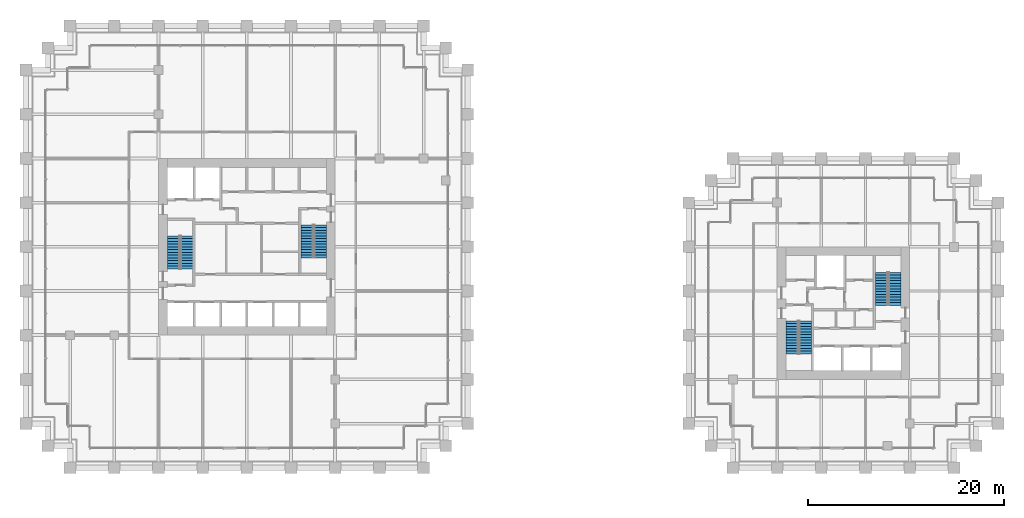
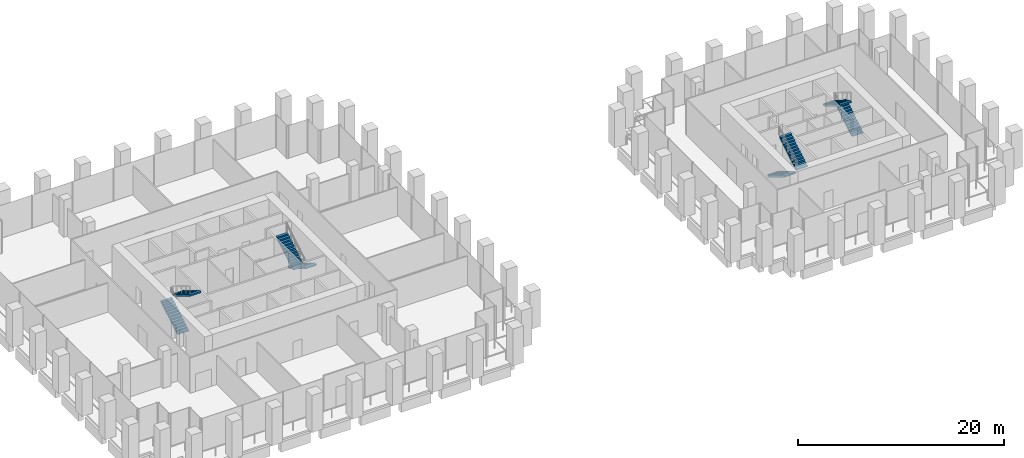
# One storey, part 34 of 36: 8 stair flights, 4 elements without a shape of their own.
"""IFC4 building model written with IfcOpenShell, lengths in metres."""

from ifc_helpers import new_model, si_unit, direction, frame, origin, place, context, subcontext, project, spatial, polyline, outline, extrude, material, type_object, element, aggregate, save


model = new_model("IFC4")

# Units and contexts
model_context = context("Model", 3, precision=1e-05, world=origin(), true_north=direction((0.0, 1.0)))
body_context = subcontext(model_context, "Body", "Model", "MODEL_VIEW")
ifc_project = project(units=[si_unit("LENGTHUNIT", "METRE"), si_unit("AREAUNIT", "SQUARE_METRE"), si_unit("VOLUMEUNIT", "CUBIC_METRE"), si_unit("PLANEANGLEUNIT", "RADIAN"), si_unit("MASSUNIT", "GRAM", prefix="KILO")], contexts=[model_context])

# Site, building, storey
site_placement = place(None, origin())
site = spatial("IfcSite", under=ifc_project, at=site_placement, CompositionType="ELEMENT")
building_placement = place(site_placement, origin())
building = spatial("IfcBuilding", under=site, at=building_placement, Name="Altepetl Exchange Towers", CompositionType="ELEMENT")
storey_placement = place(building_placement, frame((0.0, 0.0, 29.800048828125)))
storey = spatial("IfcBuildingStorey", under=building, at=storey_placement, Name="L06", CompositionType="ELEMENT", Elevation=29.800048828125)

# Stair, stair flights
ifc_material = material(Name="Concrete C40/50", Category="concrete")
stair_type = type_object("IfcStairType", Name="Exit stair 1250 flights dogleg", PredefinedType="HALF_TURN_STAIR", material=ifc_material)
stair_1_placement = place(storey_placement, origin())
stair_1 = element("IfcStair", 1, at=stair_1_placement, inside=storey, type_object=stair_type, Name="Exit stair 1", PredefinedType="HALF_TURN_STAIR")
stair_flight_type = type_object("IfcStairFlightType", Name="Stair flight 1250 wide", PredefinedType="STRAIGHT", material=ifc_material)
stair_flight_1_placement = place(storey_placement, frame((42.02490234375, 47.25, 0.0), z_axis=(0.0, 0.0, 1.0), x_axis=(0.0, 1.0, 0.0)))
stair_flight_1 = element("IfcStairFlight", 2, at=stair_flight_1_placement, type_object=stair_flight_type, Name="ST-A1b flight 1", NumberOfRisers=13, NumberOfTreads=12, PredefinedType="STRAIGHT", RiserHeight=0.169230769, TreadLength=0.28, context=body_context, shape_type="SweptSolid", body=[
    extrude(outline(polyline([(0.0, 0.0), (0.0, 0.169189453125), (0.280029296875, 0.169189453125), (0.280029296875, 0.33837890625), (0.56005859375, 0.33837890625), (0.56005859375, 0.5078125), (0.840087890625, 0.5078125), (0.840087890625, 0.677001953125), (1.1201171875, 0.677001953125), (1.1201171875, 0.84619140625), (1.39990234375, 0.84619140625), (1.39990234375, 1.015380859375), (1.679931640625, 1.015380859375), (1.679931640625, 1.1845703125), (1.9599609375, 1.1845703125), (1.9599609375, 1.353759765625), (2.239990234375, 1.353759765625), (2.239990234375, 1.523193359375), (2.52001953125, 1.523193359375), (2.52001953125, 1.6923828125), (2.800048828125, 1.6923828125), (2.800048828125, 1.861572265625), (3.080078125, 1.861572265625), (3.080078125, 2.03076171875), (3.360107421875, 2.03076171875), (3.360107421875, 2.199951171875), (3.360107421875, 1.855712890625), (0.289794921875, 0.0), (0.0, 0.0)])), frame((0.0, 0.625, 0.0), z_axis=(0.0, -1.0, 0.0), x_axis=(1.0, 0.0, 0.0)), (0.0, 0.0, 1.0), 1.25),
])
stair_flight_2_placement = place(storey_placement, frame((43.375, 50.610107421875, 2.199951171875), z_axis=(0.0, 0.0, 1.0), x_axis=(0.0, -1.0, 0.0)))
stair_flight_2 = element("IfcStairFlight", 3, at=stair_flight_2_placement, type_object=stair_flight_type, Name="ST-A1b flight 2", NumberOfRisers=13, NumberOfTreads=12, PredefinedType="STRAIGHT", RiserHeight=0.169230769, TreadLength=0.28, context=body_context, shape_type="SweptSolid", body=[
    extrude(outline(polyline([(0.0, 0.0), (0.0, 0.169189453125), (0.280029296875, 0.169189453125), (0.280029296875, 0.33837890625), (0.56005859375, 0.33837890625), (0.56005859375, 0.5078125), (0.840087890625, 0.5078125), (0.840087890625, 0.677001953125), (1.1201171875, 0.677001953125), (1.1201171875, 0.84619140625), (1.39990234375, 0.84619140625), (1.39990234375, 1.015380859375), (1.679931640625, 1.015380859375), (1.679931640625, 1.1845703125), (1.9599609375, 1.1845703125), (1.9599609375, 1.353759765625), (2.239990234375, 1.353759765625), (2.239990234375, 1.523193359375), (2.52001953125, 1.523193359375), (2.52001953125, 1.6923828125), (2.800048828125, 1.6923828125), (2.800048828125, 1.861572265625), (3.080078125, 1.861572265625), (3.080078125, 2.03076171875), (3.360107421875, 2.03076171875), (3.360107421875, 2.199951171875), (3.360107421875, 1.855712890625), (0.289794921875, 0.0), (0.0, 0.0)])), frame((0.0, 0.625, 0.0), z_axis=(0.0, -1.0, 0.0), x_axis=(1.0, 0.0, 0.0)), (0.0, 0.0, 1.0), 1.25),
])
aggregate(stair_1, [stair_flight_1, stair_flight_2])

stair_2_placement = place(storey_placement, origin())
stair_2 = element("IfcStair", 4, at=stair_2_placement, inside=storey, type_object=stair_type, Name="Exit stair 2", PredefinedType="HALF_TURN_STAIR")
stair_flight_3_placement = place(storey_placement, frame((56.97509765625, 51.75, 0.0), z_axis=(0.0, 0.0, 1.0), x_axis=(0.0, -1.0, 0.0)))
stair_flight_3 = element("IfcStairFlight", 5, at=stair_flight_3_placement, type_object=stair_flight_type, Name="ST-A2b flight 1", NumberOfRisers=13, NumberOfTreads=12, PredefinedType="STRAIGHT", RiserHeight=0.169230769, TreadLength=0.28, context=body_context, shape_type="SweptSolid", body=[
    extrude(outline(polyline([(0.0, 0.0), (0.0, 0.169189453125), (0.280029296875, 0.169189453125), (0.280029296875, 0.33837890625), (0.56005859375, 0.33837890625), (0.56005859375, 0.5078125), (0.840087890625, 0.5078125), (0.840087890625, 0.677001953125), (1.1201171875, 0.677001953125), (1.1201171875, 0.84619140625), (1.39990234375, 0.84619140625), (1.39990234375, 1.015380859375), (1.679931640625, 1.015380859375), (1.679931640625, 1.1845703125), (1.9599609375, 1.1845703125), (1.9599609375, 1.353759765625), (2.239990234375, 1.353759765625), (2.239990234375, 1.523193359375), (2.52001953125, 1.523193359375), (2.52001953125, 1.6923828125), (2.800048828125, 1.6923828125), (2.800048828125, 1.861572265625), (3.080078125, 1.861572265625), (3.080078125, 2.03076171875), (3.360107421875, 2.03076171875), (3.360107421875, 2.199951171875), (3.360107421875, 1.855712890625), (0.289794921875, 0.0), (0.0, 0.0)])), frame((0.0, 0.625, 0.0), z_axis=(0.0, -1.0, 0.0), x_axis=(1.0, 0.0, 0.0)), (0.0, 0.0, 1.0), 1.25),
])
stair_flight_4_placement = place(storey_placement, frame((55.625, 48.389892578125, 2.199951171875), z_axis=(0.0, 0.0, 1.0), x_axis=(0.0, 1.0, 0.0)))
stair_flight_4 = element("IfcStairFlight", 6, at=stair_flight_4_placement, type_object=stair_flight_type, Name="ST-A2b flight 2", NumberOfRisers=13, NumberOfTreads=12, PredefinedType="STRAIGHT", RiserHeight=0.169230769, TreadLength=0.28, context=body_context, shape_type="SweptSolid", body=[
    extrude(outline(polyline([(0.0, 0.0), (0.0, 0.169189453125), (0.280029296875, 0.169189453125), (0.280029296875, 0.33837890625), (0.56005859375, 0.33837890625), (0.56005859375, 0.5078125), (0.840087890625, 0.5078125), (0.840087890625, 0.677001953125), (1.1201171875, 0.677001953125), (1.1201171875, 0.84619140625), (1.39990234375, 0.84619140625), (1.39990234375, 1.015380859375), (1.679931640625, 1.015380859375), (1.679931640625, 1.1845703125), (1.9599609375, 1.1845703125), (1.9599609375, 1.353759765625), (2.239990234375, 1.353759765625), (2.239990234375, 1.523193359375), (2.52001953125, 1.523193359375), (2.52001953125, 1.6923828125), (2.800048828125, 1.6923828125), (2.800048828125, 1.861572265625), (3.080078125, 1.861572265625), (3.080078125, 2.03076171875), (3.360107421875, 2.03076171875), (3.360107421875, 2.199951171875), (3.360107421875, 1.855712890625), (0.289794921875, 0.0), (0.0, 0.0)])), frame((0.0, 0.625, 0.0), z_axis=(0.0, -1.0, 0.0), x_axis=(1.0, 0.0, 0.0)), (0.0, 0.0, 1.0), 1.25),
])
aggregate(stair_2, [stair_flight_3, stair_flight_4])

stair_3_placement = place(storey_placement, origin())
stair_3 = element("IfcStair", 7, at=stair_3_placement, inside=storey, type_object=stair_type, Name="Exit stair 1", PredefinedType="HALF_TURN_STAIR")
stair_flight_5_placement = place(storey_placement, frame((105.02490234375, 41.949951171875, 0.0), z_axis=(0.0, 0.0, 1.0), x_axis=(0.0, -1.0, 0.0)))
stair_flight_5 = element("IfcStairFlight", 8, at=stair_flight_5_placement, type_object=stair_flight_type, Name="ST-B1b flight 1", NumberOfRisers=13, NumberOfTreads=12, PredefinedType="STRAIGHT", RiserHeight=0.169230769, TreadLength=0.28, context=body_context, shape_type="SweptSolid", body=[
    extrude(outline(polyline([(0.0, 0.0), (0.0, 0.169189453125), (0.280029296875, 0.169189453125), (0.280029296875, 0.33837890625), (0.56005859375, 0.33837890625), (0.56005859375, 0.5078125), (0.840087890625, 0.5078125), (0.840087890625, 0.677001953125), (1.1201171875, 0.677001953125), (1.1201171875, 0.84619140625), (1.39990234375, 0.84619140625), (1.39990234375, 1.015380859375), (1.679931640625, 1.015380859375), (1.679931640625, 1.1845703125), (1.9599609375, 1.1845703125), (1.9599609375, 1.353759765625), (2.239990234375, 1.353759765625), (2.239990234375, 1.523193359375), (2.52001953125, 1.523193359375), (2.52001953125, 1.6923828125), (2.800048828125, 1.6923828125), (2.800048828125, 1.861572265625), (3.080078125, 1.861572265625), (3.080078125, 2.03076171875), (3.360107421875, 2.03076171875), (3.360107421875, 2.199951171875), (3.360107421875, 1.855712890625), (0.289794921875, 0.0), (0.0, 0.0)])), frame((0.0, 0.625, 0.0), z_axis=(0.0, -1.0, 0.0), x_axis=(1.0, 0.0, 0.0)), (0.0, 0.0, 1.0), 1.25),
])
stair_flight_6_placement = place(storey_placement, frame((106.375, 38.590087890625, 2.199951171875), z_axis=(0.0, 0.0, 1.0), x_axis=(0.0, 1.0, 0.0)))
stair_flight_6 = element("IfcStairFlight", 9, at=stair_flight_6_placement, type_object=stair_flight_type, Name="ST-B1b flight 2", NumberOfRisers=13, NumberOfTreads=12, PredefinedType="STRAIGHT", RiserHeight=0.169230769, TreadLength=0.28, context=body_context, shape_type="SweptSolid", body=[
    extrude(outline(polyline([(0.0, 0.0), (0.0, 0.169189453125), (0.280029296875, 0.169189453125), (0.280029296875, 0.33837890625), (0.56005859375, 0.33837890625), (0.56005859375, 0.5078125), (0.840087890625, 0.5078125), (0.840087890625, 0.677001953125), (1.1201171875, 0.677001953125), (1.1201171875, 0.84619140625), (1.39990234375, 0.84619140625), (1.39990234375, 1.015380859375), (1.679931640625, 1.015380859375), (1.679931640625, 1.1845703125), (1.9599609375, 1.1845703125), (1.9599609375, 1.353759765625), (2.239990234375, 1.353759765625), (2.239990234375, 1.523193359375), (2.52001953125, 1.523193359375), (2.52001953125, 1.6923828125), (2.800048828125, 1.6923828125), (2.800048828125, 1.861572265625), (3.080078125, 1.861572265625), (3.080078125, 2.03076171875), (3.360107421875, 2.03076171875), (3.360107421875, 2.199951171875), (3.360107421875, 1.855712890625), (0.289794921875, 0.0), (0.0, 0.0)])), frame((0.0, 0.625, 0.0), z_axis=(0.0, -1.0, 0.0), x_axis=(1.0, 0.0, 0.0)), (0.0, 0.0, 1.0), 1.25),
])
aggregate(stair_3, [stair_flight_5, stair_flight_6])

stair_4_placement = place(storey_placement, origin())
stair_4 = element("IfcStair", 10, at=stair_4_placement, inside=storey, type_object=stair_type, Name="Exit stair 2", PredefinedType="HALF_TURN_STAIR")
stair_flight_7_placement = place(storey_placement, frame((115.47509765625, 43.550048828125, 0.0), z_axis=(0.0, 0.0, 1.0), x_axis=(0.0, 1.0, 0.0)))
stair_flight_7 = element("IfcStairFlight", 11, at=stair_flight_7_placement, type_object=stair_flight_type, Name="ST-B2b flight 1", NumberOfRisers=13, NumberOfTreads=12, PredefinedType="STRAIGHT", RiserHeight=0.169230769, TreadLength=0.28, context=body_context, shape_type="SweptSolid", body=[
    extrude(outline(polyline([(0.0, 0.0), (0.0, 0.169189453125), (0.280029296875, 0.169189453125), (0.280029296875, 0.33837890625), (0.56005859375, 0.33837890625), (0.56005859375, 0.5078125), (0.840087890625, 0.5078125), (0.840087890625, 0.677001953125), (1.1201171875, 0.677001953125), (1.1201171875, 0.84619140625), (1.39990234375, 0.84619140625), (1.39990234375, 1.015380859375), (1.679931640625, 1.015380859375), (1.679931640625, 1.1845703125), (1.9599609375, 1.1845703125), (1.9599609375, 1.353759765625), (2.239990234375, 1.353759765625), (2.239990234375, 1.523193359375), (2.52001953125, 1.523193359375), (2.52001953125, 1.6923828125), (2.800048828125, 1.6923828125), (2.800048828125, 1.861572265625), (3.080078125, 1.861572265625), (3.080078125, 2.03076171875), (3.360107421875, 2.03076171875), (3.360107421875, 2.199951171875), (3.360107421875, 1.855712890625), (0.289794921875, 0.0), (0.0, 0.0)])), frame((0.0, 0.625, 0.0), z_axis=(0.0, -1.0, 0.0), x_axis=(1.0, 0.0, 0.0)), (0.0, 0.0, 1.0), 1.25),
])
stair_flight_8_placement = place(storey_placement, frame((114.125, 46.909912109375, 2.199951171875), z_axis=(0.0, 0.0, 1.0), x_axis=(0.0, -1.0, 0.0)))
stair_flight_8 = element("IfcStairFlight", 12, at=stair_flight_8_placement, type_object=stair_flight_type, Name="ST-B2b flight 2", NumberOfRisers=13, NumberOfTreads=12, PredefinedType="STRAIGHT", RiserHeight=0.169230769, TreadLength=0.28, context=body_context, shape_type="SweptSolid", body=[
    extrude(outline(polyline([(0.0, 0.0), (0.0, 0.169189453125), (0.280029296875, 0.169189453125), (0.280029296875, 0.33837890625), (0.56005859375, 0.33837890625), (0.56005859375, 0.5078125), (0.840087890625, 0.5078125), (0.840087890625, 0.677001953125), (1.1201171875, 0.677001953125), (1.1201171875, 0.84619140625), (1.39990234375, 0.84619140625), (1.39990234375, 1.015380859375), (1.679931640625, 1.015380859375), (1.679931640625, 1.1845703125), (1.9599609375, 1.1845703125), (1.9599609375, 1.353759765625), (2.239990234375, 1.353759765625), (2.239990234375, 1.523193359375), (2.52001953125, 1.523193359375), (2.52001953125, 1.6923828125), (2.800048828125, 1.6923828125), (2.800048828125, 1.861572265625), (3.080078125, 1.861572265625), (3.080078125, 2.03076171875), (3.360107421875, 2.03076171875), (3.360107421875, 2.199951171875), (3.360107421875, 1.855712890625), (0.289794921875, 0.0), (0.0, 0.0)])), frame((0.0, 0.625, 0.0), z_axis=(0.0, -1.0, 0.0), x_axis=(1.0, 0.0, 0.0)), (0.0, 0.0, 1.0), 1.25),
])
aggregate(stair_4, [stair_flight_7, stair_flight_8])

save(model, "model.ifc")
